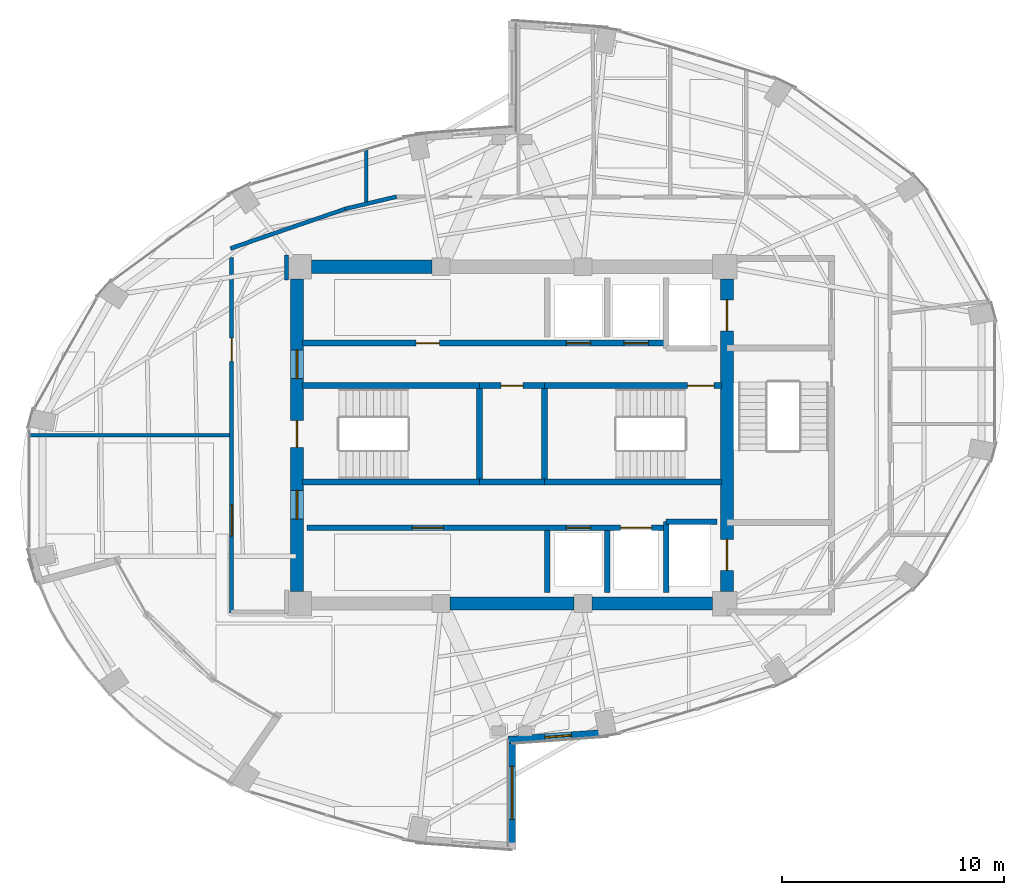
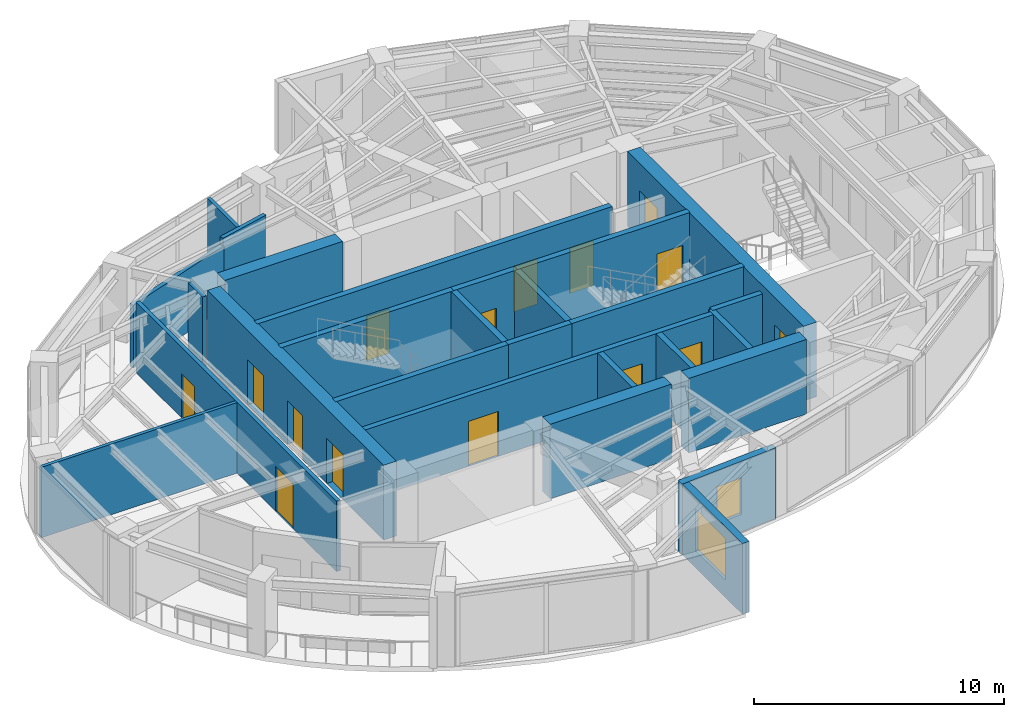
# One storey, part 17 of 21: 27 walls, 15 doors, 2 windows, 17 openings.
"""IFC4 building model written with IfcOpenShell, lengths in metres."""

from ifc_helpers import new_model, si_unit, direction, frame, frame_2d, origin, place, context, subcontext, project, spatial, rectangle, extrude, material, layer, layer_set, type_object, element, fill, save


model = new_model("IFC4")

# Units and contexts
model_context = context("Model", 3, precision=1e-05, world=origin(), true_north=direction((0.0, 1.0)))
body_context = subcontext(model_context, "Body", "Model", "MODEL_VIEW")
ifc_project = project(units=[si_unit("LENGTHUNIT", "METRE"), si_unit("AREAUNIT", "SQUARE_METRE"), si_unit("VOLUMEUNIT", "CUBIC_METRE"), si_unit("PLANEANGLEUNIT", "RADIAN"), si_unit("MASSUNIT", "GRAM", prefix="KILO")], contexts=[model_context])

# Site, building, storey
site_placement = place(None, origin())
site = spatial("IfcSite", under=ifc_project, at=site_placement, CompositionType="ELEMENT")
building_placement = place(site_placement, origin())
building = spatial("IfcBuilding", under=site, at=building_placement, Name="Lazwardi Medical Tower", CompositionType="ELEMENT")
storey_placement = place(building_placement, frame((0.0, 0.0, 216.719970703125)))
storey = spatial("IfcBuildingStorey", under=building, at=storey_placement, Name="L56", CompositionType="ELEMENT", Elevation=216.719970703125)

# Walls
ifc_material_1 = material(Name="Fire-rated gypsum board on steel stud", Category="steel")
ifc_layer_1 = layer(ifc_material_1, 0.179931640625)
ifc_layer_set_1 = layer_set([ifc_layer_1], Name="Fire-rated gypsum board on steel stud")
wall_type_1 = type_object("IfcWallType", Name="WL-COR-180", PredefinedType="PARTITIONING", material=ifc_layer_set_1)
wall_1_placement = place(storey_placement, frame((23.294189453125, 36.422119140625, 0.0), z_axis=(0.0, 0.0, 1.0), x_axis=(0.945493277461, 0.325641616316, 0.0)))
element("IfcWall", 1, at=wall_1_placement, inside=storey, type_object=wall_type_1, Name="L56 Corridor partition 1", PredefinedType="PARTITIONING", context=body_context, shape_type="SweptSolid", body=[
    extrude(rectangle(XDim=5.5615234375, YDim=0.179931640625, at=frame_2d((2.78076171875, 0.0))), origin(), (0.0, 0.0, 1.0), 3.072998046875),
])
wall_2_placement = place(storey_placement, frame((28.475830078125, 38.2109375, 0.0), z_axis=(0.0, 0.0, 1.0), x_axis=(0.973030562203, 0.230676234189, 0.0)))
element("IfcWall", 2, at=wall_2_placement, inside=storey, type_object=wall_type_1, Name="L56 Corridor partition 2", PredefinedType="PARTITIONING", context=body_context, shape_type="SweptSolid", body=[
    extrude(rectangle(XDim=2.377197265625, YDim=0.179931640625, at=frame_2d((1.1884765625, 0.0))), origin(), (0.0, 0.0, 1.0), 3.447998046875),
])
wall_3_placement = place(storey_placement, frame((25.830078125, 36.139892578125, 0.0), z_axis=(0.0, 0.0, 1.0), x_axis=(0.0, -1.0, 0.0)))
element("IfcWall", 3, at=wall_3_placement, inside=storey, type_object=wall_type_1, Name="L56 Corridor partition 7", PredefinedType="PARTITIONING", context=body_context, shape_type="SweptSolid", body=[
    extrude(rectangle(XDim=1.14990234375, YDim=0.179931640625, at=frame_2d((0.574951171875, 0.0))), origin(), (0.0, 0.0, 1.0), 3.447998046875),
])

# Wall, openings, doors
wall_4_placement = place(storey_placement, frame((23.35009765625, 19.97998046875, 0.0), z_axis=(0.0, 0.0, 1.0), x_axis=(0.0, 1.0, 0.0)))
wall_4 = element("IfcWall", 4, at=wall_4_placement, inside=storey, type_object=wall_type_1, Name="L56 Corridor partition 10", PredefinedType="PARTITIONING", context=body_context, shape_type="SweptSolid", body=[
    extrude(rectangle(XDim=16.04248046875, YDim=0.179931640625, at=frame_2d((8.021240234375, 0.0))), origin(), (0.0, 0.0, 1.0), 3.447998046875),
])
opening_1_placement = place(wall_4_placement, frame((3.468994140625, 0.0, 0.0)))
opening_1 = element("IfcOpeningElement", 5, at=opening_1_placement, cuts=wall_4, Name="Opening D-L56-008", PredefinedType="OPENING", context=body_context, shape_type="SweptSolid", body=[
    extrude(rectangle(XDim=1.39990234375, YDim=2.199951171875, at=frame_2d((0.699951171875, 1.10009765625))), frame((0.0, 0.099853515625, 0.0), z_axis=(0.0, -1.0, 0.0), x_axis=(1.0, 0.0, 0.0)), (0.0, 0.0, 1.0), 0.199951171875),
])
opening_2_placement = place(wall_4_placement, frame((11.34716796875, 0.0, 0.0)))
opening_2 = element("IfcOpeningElement", 6, at=opening_2_placement, cuts=wall_4, Name="Opening D-L56-017", PredefinedType="OPENING", context=body_context, shape_type="SweptSolid", body=[
    extrude(rectangle(XDim=1.050048828125, YDim=2.14990234375, at=frame_2d((0.52490234375, 1.074951171875))), frame((0.0, 0.099853515625, 0.0), z_axis=(0.0, -1.0, 0.0), x_axis=(1.0, 0.0, 0.0)), (0.0, 0.0, 1.0), 0.199951171875),
])
ifc_material_2 = material(Name="Anti-microbial laminate hospital leaf")
door_type_1 = type_object("IfcDoorType", Name="DR-BED-1400", OperationType="NOTDEFINED", PredefinedType="DOOR", material=ifc_material_2)
door_1_placement = place(opening_1_placement, origin())
door_1 = element("IfcDoor", 7, at=door_1_placement, inside=storey, type_object=door_type_1, Name="L56 Sky Garden Lounge Door 01", OperationType="SINGLE_SWING_RIGHT", OverallHeight=2.199951171875, OverallWidth=1.39990234375, PredefinedType="DOOR", context=body_context, shape_type="SweptSolid", body=[
    extrude(rectangle(XDim=1.39990234375, YDim=2.199951171875, at=frame_2d((0.699951171875, 1.10009765625))), frame((0.0, 0.02490234375, 0.0), z_axis=(0.0, -1.0, 0.0), x_axis=(1.0, 0.0, 0.0)), (0.0, 0.0, 1.0), 0.050048828125),
])
fill(opening_1, door_1)
door_type_2 = type_object("IfcDoorType", Name="DR-CLN-1050", OperationType="NOTDEFINED", PredefinedType="DOOR", material=ifc_material_2)
door_2_placement = place(opening_2_placement, origin())
door_2 = element("IfcDoor", 8, at=door_2_placement, inside=storey, type_object=door_type_2, Name="L56 Outpatient Consultation Suite Door 10", OperationType="SINGLE_SWING_LEFT", OverallHeight=2.14990234375, OverallWidth=1.050048828125, PredefinedType="DOOR", context=body_context, shape_type="SweptSolid", body=[
    extrude(rectangle(XDim=1.050048828125, YDim=2.14990234375, at=frame_2d((0.52490234375, 1.074951171875))), frame((0.0, 0.02490234375, 0.0), z_axis=(0.0, -1.0, 0.0), x_axis=(1.0, 0.0, 0.0)), (0.0, 0.0, 1.0), 0.050048828125),
])
fill(opening_2, door_2)

ifc_material_3 = material(Name="Concrete C60/75", Category="concrete")
ifc_layer_2 = layer(ifc_material_3, 0.60009765625)
ifc_layer_set_2 = layer_set([ifc_layer_2], Name="Concrete C60/75")
wall_type_2 = type_object("IfcWallType", Name="WL-CORE-600", PredefinedType="SHEAR", material=ifc_layer_set_2)
wall_5_placement = place(storey_placement, frame((26.300048828125, 20.949951171875, 0.0), z_axis=(0.0, 0.0, 1.0), x_axis=(0.0, 1.0, 0.0)))
wall_5 = element("IfcWall", 9, at=wall_5_placement, inside=storey, type_object=wall_type_2, Name="Core wall CW-S3 west L56", PredefinedType="SHEAR", context=body_context, shape_type="SweptSolid", body=[
    extrude(rectangle(XDim=14.10009765625, YDim=0.60009765625, at=frame_2d((7.050048828125, 0.0))), origin(), (0.0, 0.0, 1.0), 3.64794921875),
])
opening_3_placement = place(wall_5_placement, frame((6.5, 0.0, 0.0)))
opening_3 = element("IfcOpeningElement", 10, at=opening_3_placement, cuts=wall_5, Name="Opening D-L56-018", PredefinedType="OPENING", context=body_context, shape_type="SweptSolid", body=[
    extrude(rectangle(XDim=1.199951171875, YDim=2.14990234375, at=frame_2d((0.60009765625, 1.074951171875))), frame((0.0, 0.31005859375, 0.0), z_axis=(0.0, -1.0, 0.0), x_axis=(1.0, 0.0, 0.0)), (0.0, 0.0, 1.0), 0.6201171875),
])
opening_4_placement = place(wall_5_placement, frame((9.60009765625, 0.0, 0.0)))
opening_4 = element("IfcOpeningElement", 11, at=opening_4_placement, cuts=wall_5, Name="Opening D-L56-006", PredefinedType="OPENING", context=body_context, shape_type="SweptSolid", body=[
    extrude(rectangle(XDim=1.300048828125, YDim=2.199951171875, at=frame_2d((0.64990234375, 1.10009765625))), frame((0.0, 0.31005859375, 0.0), z_axis=(0.0, -1.0, 0.0), x_axis=(1.0, 0.0, 0.0)), (0.0, 0.0, 1.0), 0.6201171875),
])
opening_5_placement = place(wall_5_placement, frame((3.260009765625, 0.0, 0.0)))
opening_5 = element("IfcOpeningElement", 12, at=opening_5_placement, cuts=wall_5, Name="Opening D-L56-007", PredefinedType="OPENING", context=body_context, shape_type="SweptSolid", body=[
    extrude(rectangle(XDim=1.300048828125, YDim=2.199951171875, at=frame_2d((0.64990234375, 1.10009765625))), frame((0.0, 0.31005859375, 0.0), z_axis=(0.0, -1.0, 0.0), x_axis=(1.0, 0.0, 0.0)), (0.0, 0.0, 1.0), 0.6201171875),
])
ifc_material_4 = material(Name="Fire-rated steel leaf and frame", Category="steel")
door_type_3 = type_object("IfcDoorType", Name="DR-FFL-1300", OperationType="NOTDEFINED", PredefinedType="DOOR", material=ifc_material_4)
door_3_placement = place(opening_4_placement, origin())
door_3 = element("IfcDoor", 13, at=door_3_placement, inside=storey, type_object=door_type_3, Name="L56 North Lift Lobby Door", OperationType="SINGLE_SWING_LEFT", OverallHeight=2.199951171875, OverallWidth=1.300048828125, PredefinedType="DOOR", context=body_context, shape_type="SweptSolid", body=[
    extrude(rectangle(XDim=1.300048828125, YDim=2.199951171875, at=frame_2d((0.64990234375, 1.10009765625))), frame((0.0, 0.02490234375, 0.0), z_axis=(0.0, -1.0, 0.0), x_axis=(1.0, 0.0, 0.0)), (0.0, 0.0, 1.0), 0.050048828125),
])
fill(opening_4, door_3)
door_4_placement = place(opening_5_placement, origin())
door_4 = element("IfcDoor", 14, at=door_4_placement, inside=storey, type_object=door_type_3, Name="L56 South Lift Lobby Door", OperationType="SINGLE_SWING_RIGHT", OverallHeight=2.199951171875, OverallWidth=1.300048828125, PredefinedType="DOOR", context=body_context, shape_type="SweptSolid", body=[
    extrude(rectangle(XDim=1.300048828125, YDim=2.199951171875, at=frame_2d((0.64990234375, 1.10009765625))), frame((0.0, 0.02490234375, 0.0), z_axis=(0.0, -1.0, 0.0), x_axis=(1.0, 0.0, 0.0)), (0.0, 0.0, 1.0), 0.050048828125),
])
fill(opening_5, door_4)
door_type_4 = type_object("IfcDoorType", Name="DR-STR-1200", OperationType="NOTDEFINED", PredefinedType="DOOR", material=ifc_material_4)
door_5_placement = place(opening_3_placement, origin())
door_5 = element("IfcDoor", 15, at=door_5_placement, inside=storey, type_object=door_type_4, Name="L56 Exit Stair ST1 Door", OperationType="SINGLE_SWING_RIGHT", OverallHeight=2.14990234375, OverallWidth=1.199951171875, PredefinedType="DOOR", context=body_context, shape_type="SweptSolid", body=[
    extrude(rectangle(XDim=1.199951171875, YDim=2.14990234375, at=frame_2d((0.60009765625, 1.074951171875))), frame((0.0, 0.02490234375, 0.0), z_axis=(0.0, -1.0, 0.0), x_axis=(1.0, 0.0, 0.0)), (0.0, 0.0, 1.0), 0.050048828125),
])
fill(opening_3, door_5)

wall_6_placement = place(storey_placement, frame((45.699951171875, 20.949951171875, 0.0), z_axis=(0.0, 0.0, 1.0), x_axis=(0.0, 1.0, 0.0)))
wall_6 = element("IfcWall", 16, at=wall_6_placement, inside=storey, type_object=wall_type_2, Name="Core wall CW-S3 east L56", PredefinedType="SHEAR", context=body_context, shape_type="SweptSolid", body=[
    extrude(rectangle(XDim=14.10009765625, YDim=0.60009765625, at=frame_2d((7.050048828125, 0.0))), origin(), (0.0, 0.0, 1.0), 3.64794921875),
])
opening_6_placement = place(wall_6_placement, frame((11.75, 0.0, 0.0)))
opening_6 = element("IfcOpeningElement", 17, at=opening_6_placement, cuts=wall_6, Name="Opening LD-L56-001", PredefinedType="OPENING", context=body_context, shape_type="SweptSolid", body=[
    extrude(rectangle(XDim=1.39990234375, YDim=2.300048828125, at=frame_2d((0.699951171875, 1.14990234375))), frame((0.0, 0.31005859375, 0.0), z_axis=(0.0, -1.0, 0.0), x_axis=(1.0, 0.0, 0.0)), (0.0, 0.0, 1.0), 0.6201171875),
])
opening_7_placement = place(wall_6_placement, frame((0.949951171875, 0.0, 0.0)))
opening_7 = element("IfcOpeningElement", 18, at=opening_7_placement, cuts=wall_6, Name="Opening LD-L56-002", PredefinedType="OPENING", context=body_context, shape_type="SweptSolid", body=[
    extrude(rectangle(XDim=1.39990234375, YDim=2.300048828125, at=frame_2d((0.699951171875, 1.14990234375))), frame((0.0, 0.31005859375, 0.0), z_axis=(0.0, -1.0, 0.0), x_axis=(1.0, 0.0, 0.0)), (0.0, 0.0, 1.0), 0.6201171875),
])
ifc_material_5 = material(Name="Brushed stainless steel bed-lift landing door", Category="steel")
door_type_5 = type_object("IfcDoorType", Name="DR-LFT-1400", OperationType="NOTDEFINED", PredefinedType="DOOR", material=ifc_material_5)
door_6_placement = place(opening_6_placement, origin())
door_6 = element("IfcDoor", 19, at=door_6_placement, inside=storey, type_object=door_type_5, Name="L56 Lift Landing Door FL-01", OperationType="SLIDING_TO_LEFT", OverallHeight=2.300048828125, OverallWidth=1.39990234375, PredefinedType="DOOR", context=body_context, shape_type="SweptSolid", body=[
    extrude(rectangle(XDim=1.39990234375, YDim=2.300048828125, at=frame_2d((0.699951171875, 1.14990234375))), frame((0.0, 0.02490234375, 0.0), z_axis=(0.0, -1.0, 0.0), x_axis=(1.0, 0.0, 0.0)), (0.0, 0.0, 1.0), 0.050048828125),
])
fill(opening_6, door_6)
door_7_placement = place(opening_7_placement, origin())
door_7 = element("IfcDoor", 20, at=door_7_placement, inside=storey, type_object=door_type_5, Name="L56 Lift Landing Door FL-02", OperationType="SLIDING_TO_LEFT", OverallHeight=2.300048828125, OverallWidth=1.39990234375, PredefinedType="DOOR", context=body_context, shape_type="SweptSolid", body=[
    extrude(rectangle(XDim=1.39990234375, YDim=2.300048828125, at=frame_2d((0.699951171875, 1.14990234375))), frame((0.0, 0.02490234375, 0.0), z_axis=(0.0, -1.0, 0.0), x_axis=(1.0, 0.0, 0.0)), (0.0, 0.0, 1.0), 0.050048828125),
])
fill(opening_7, door_7)

# Walls
wall_7_placement = place(storey_placement, frame((26.949951171875, 35.60009765625, 0.0), z_axis=(0.0, 0.0, 1.0), x_axis=(1.0, 0.0, 0.0)))
element("IfcWall", 21, at=wall_7_placement, inside=storey, type_object=wall_type_2, Name="Core wall CW-S3 N1 L56", PredefinedType="SHEAR", context=body_context, shape_type="SweptSolid", body=[
    extrude(rectangle(XDim=5.449951171875, YDim=0.60009765625, at=frame_2d((2.72509765625, 0.0))), origin(), (0.0, 0.0, 1.0), 3.64794921875),
])
wall_8_placement = place(storey_placement, frame((33.199951171875, 20.39990234375, 0.0), z_axis=(0.0, 0.0, 1.0), x_axis=(1.0, 0.0, 0.0)))
element("IfcWall", 22, at=wall_8_placement, inside=storey, type_object=wall_type_2, Name="Core wall CW-S3 S2 L56", PredefinedType="SHEAR", context=body_context, shape_type="SweptSolid", body=[
    extrude(rectangle(XDim=5.60009765625, YDim=0.60009765625, at=frame_2d((2.800048828125, 0.0))), origin(), (0.0, 0.0, 1.0), 3.64794921875),
])
wall_9_placement = place(storey_placement, frame((39.60009765625, 20.39990234375, 0.0), z_axis=(0.0, 0.0, 1.0), x_axis=(1.0, 0.0, 0.0)))
element("IfcWall", 23, at=wall_9_placement, inside=storey, type_object=wall_type_2, Name="Core wall CW-S3 S3 L56", PredefinedType="SHEAR", context=body_context, shape_type="SweptSolid", body=[
    extrude(rectangle(XDim=5.449951171875, YDim=0.60009765625, at=frame_2d((2.72509765625, 0.0))), origin(), (0.0, 0.0, 1.0), 3.64794921875),
])

# Wall, opening, window
ifc_material_6 = material(Name="Precast concrete C45/55", Category="concrete")
ifc_layer_3 = layer(ifc_material_6, 0.320068359375)
ifc_layer_set_3 = layer_set([ifc_layer_3], Name="Precast concrete C45/55")
wall_type_3 = type_object("IfcWallType", Name="WL-IWAN-320", PredefinedType="SOLIDWALL", material=ifc_layer_set_3)
wall_10_placement = place(storey_placement, frame((35.820556640625, 14.2470703125, 0.0), z_axis=(0.0, 0.0, 1.0), x_axis=(0.997409061056, 0.071938619141, 0.0)))
wall_10 = element("IfcWall", 24, at=wall_10_placement, inside=storey, type_object=wall_type_3, Name="L56 Iwan Portal Return Wall SE_ret", PredefinedType="SOLIDWALL", context=body_context, shape_type="SweptSolid", body=[
    extrude(rectangle(XDim=4.540771484375, YDim=0.320068359375, at=frame_2d((2.2705078125, 0.0))), origin(), (0.0, 0.0, 1.0), 3.447998046875),
])
opening_8_placement = place(wall_10_placement, frame((1.67041015625, 0.0, 0.85009765625)))
opening_8 = element("IfcOpeningElement", 25, at=opening_8_placement, cuts=wall_10, Name="Opening WN-04", PredefinedType="OPENING", context=body_context, shape_type="SweptSolid", body=[
    extrude(rectangle(XDim=1.199951171875, YDim=1.800048828125, at=frame_2d((0.60009765625, 0.89990234375))), frame((0.0, 0.169921875, 0.0), z_axis=(0.0, -1.0, 0.0), x_axis=(1.0, 0.0, 0.0)), (0.0, 0.0, 1.0), 0.340087890625),
])
ifc_material_7 = material(Name="Low-e bronze solar control double glazing", Category="glass")
window_type_1 = type_object("IfcWindowType", Name="WIN-DRUM-1200", PartitioningType="SINGLE_PANEL", PredefinedType="WINDOW", material=ifc_material_7)
window_1_placement = place(opening_8_placement, origin())
window_1 = element("IfcWindow", 26, at=window_1_placement, inside=storey, type_object=window_type_1, Name="L56 Iwan Slot Window SE_ret", OverallHeight=1.800048828125, OverallWidth=1.199951171875, PartitioningType="SINGLE_PANEL", PredefinedType="WINDOW", context=body_context, shape_type="SweptSolid", body=[
    extrude(rectangle(XDim=1.199951171875, YDim=1.800048828125, at=frame_2d((0.60009765625, 0.89990234375))), frame((0.0, 0.030029296875, 0.0), z_axis=(0.0, -1.0, 0.0), x_axis=(1.0, 0.0, 0.0)), (0.0, 0.0, 1.0), 0.06005859375),
])
fill(opening_8, window_1)

wall_11_placement = place(storey_placement, frame((36.0, 9.300048828125, 0.0), z_axis=(0.0, 0.0, 1.0), x_axis=(0.0, 1.0, 0.0)))
wall_11 = element("IfcWall", 27, at=wall_11_placement, inside=storey, type_object=wall_type_3, Name="L56 Turquoise Tilework Iwan Seam Wall S_seam", PredefinedType="SOLIDWALL", context=body_context, shape_type="SweptSolid", body=[
    extrude(rectangle(XDim=5.119873046875, YDim=0.320068359375, at=frame_2d((2.56005859375, 0.0))), origin(), (0.0, 0.0, 1.0), 3.447998046875),
])
opening_9_placement = place(wall_11_placement, frame((1.360107421875, 0.0, 0.840087890625)))
opening_9 = element("IfcOpeningElement", 28, at=opening_9_placement, cuts=wall_11, Name="Opening WN-02", PredefinedType="OPENING", context=body_context, shape_type="SweptSolid", body=[
    extrude(rectangle(XDim=2.39990234375, YDim=2.0400390625, at=frame_2d((1.199951171875, 1.02001953125))), frame((0.0, 0.169921875, 0.0), z_axis=(0.0, -1.0, 0.0), x_axis=(1.0, 0.0, 0.0)), (0.0, 0.0, 1.0), 0.340087890625),
])
window_type_2 = type_object("IfcWindowType", Name="WIN-IW-2400", PartitioningType="SINGLE_PANEL", PredefinedType="WINDOW", material=ifc_material_7)
window_2_placement = place(opening_9_placement, origin())
window_2 = element("IfcWindow", 29, at=window_2_placement, inside=storey, type_object=window_type_2, Name="L56 Iwan Seam Window S_seam", OverallHeight=2.0400390625, OverallWidth=2.39990234375, PartitioningType="SINGLE_PANEL", PredefinedType="WINDOW", context=body_context, shape_type="SweptSolid", body=[
    extrude(rectangle(XDim=2.39990234375, YDim=2.0400390625, at=frame_2d((1.199951171875, 1.02001953125))), frame((0.0, 0.030029296875, 0.0), z_axis=(0.0, -1.0, 0.0), x_axis=(1.0, 0.0, 0.0)), (0.0, 0.0, 1.0), 0.06005859375),
])
fill(opening_9, window_2)

# Wall, openings, doors
ifc_material_8 = material(Name="Autoclaved aerated concrete blockwork", Category="masonry")
ifc_layer_4 = layer(ifc_material_8, 0.25)
ifc_layer_set_4 = layer_set([ifc_layer_4], Name="Autoclaved aerated concrete blockwork")
wall_type_4 = type_object("IfcWallType", Name="WL-SHAFT-250", PredefinedType="SOLIDWALL", material=ifc_layer_set_4)
wall_12_placement = place(storey_placement, frame((26.75, 23.830078125, 0.0), z_axis=(0.0, 0.0, 1.0), x_axis=(1.0, 0.0, 0.0)))
wall_12 = element("IfcWall", 30, at=wall_12_placement, inside=storey, type_object=wall_type_4, Name="L56 South lift bank front wall", PredefinedType="SOLIDWALL", context=body_context, shape_type="SweptSolid", body=[
    extrude(rectangle(XDim=16.199951171875, YDim=0.25, at=frame_2d((8.10009765625, 0.0))), origin(), (0.0, 0.0, 1.0), 3.447998046875),
])
opening_10_placement = place(wall_12_placement, frame((4.75, 0.0, 0.0)))
opening_10 = element("IfcOpeningElement", 31, at=opening_10_placement, cuts=wall_12, Name="Opening D-L56-003", PredefinedType="OPENING", context=body_context, shape_type="SweptSolid", body=[
    extrude(rectangle(XDim=1.39990234375, YDim=2.199951171875, at=frame_2d((0.699951171875, 1.10009765625))), frame((0.0, 0.135009765625, 0.0), z_axis=(0.0, -1.0, 0.0), x_axis=(1.0, 0.0, 0.0)), (0.0, 0.0, 1.0), 0.27001953125),
])
opening_11_placement = place(wall_12_placement, frame((11.699951171875, 0.0, 0.0)))
opening_11 = element("IfcOpeningElement", 32, at=opening_11_placement, cuts=wall_12, Name="Opening LD-L56-006", PredefinedType="OPENING", context=body_context, shape_type="SweptSolid", body=[
    extrude(rectangle(XDim=1.10009765625, YDim=2.199951171875, at=frame_2d((0.550048828125, 1.10009765625))), frame((0.0, 0.135009765625, 0.0), z_axis=(0.0, -1.0, 0.0), x_axis=(1.0, 0.0, 0.0)), (0.0, 0.0, 1.0), 0.27001953125),
])
opening_12_placement = place(wall_12_placement, frame((14.14990234375, 0.0, 0.0)))
opening_12 = element("IfcOpeningElement", 33, at=opening_12_placement, cuts=wall_12, Name="Opening LD-L56-003", PredefinedType="OPENING", context=body_context, shape_type="SweptSolid", body=[
    extrude(rectangle(XDim=1.39990234375, YDim=2.300048828125, at=frame_2d((0.699951171875, 1.14990234375))), frame((0.0, 0.135009765625, 0.0), z_axis=(0.0, -1.0, 0.0), x_axis=(1.0, 0.0, 0.0)), (0.0, 0.0, 1.0), 0.27001953125),
])
door_8_placement = place(opening_10_placement, origin())
door_8 = element("IfcDoor", 34, at=door_8_placement, inside=storey, type_object=door_type_1, Name="L56 Core South Suite Door", OperationType="SINGLE_SWING_RIGHT", OverallHeight=2.199951171875, OverallWidth=1.39990234375, PredefinedType="DOOR", context=body_context, shape_type="SweptSolid", body=[
    extrude(rectangle(XDim=1.39990234375, YDim=2.199951171875, at=frame_2d((0.699951171875, 1.10009765625))), frame((0.0, 0.02490234375, 0.0), z_axis=(0.0, -1.0, 0.0), x_axis=(1.0, 0.0, 0.0)), (0.0, 0.0, 1.0), 0.050048828125),
])
fill(opening_10, door_8)
ifc_material_9 = material(Name="Brushed bronze stainless steel landing door", Category="steel")
door_type_6 = type_object("IfcDoorType", Name="DR-LFT-1100", OperationType="NOTDEFINED", PredefinedType="DOOR", material=ifc_material_9)
door_9_placement = place(opening_11_placement, origin())
door_9 = element("IfcDoor", 35, at=door_9_placement, inside=storey, type_object=door_type_6, Name="L56 Lift Landing Door PL-11", OperationType="SLIDING_TO_LEFT", OverallHeight=2.199951171875, OverallWidth=1.10009765625, PredefinedType="DOOR", context=body_context, shape_type="SweptSolid", body=[
    extrude(rectangle(XDim=1.10009765625, YDim=2.199951171875, at=frame_2d((0.550048828125, 1.10009765625))), frame((0.0, 0.02490234375, 0.0), z_axis=(0.0, -1.0, 0.0), x_axis=(1.0, 0.0, 0.0)), (0.0, 0.0, 1.0), 0.050048828125),
])
fill(opening_11, door_9)
door_10_placement = place(opening_12_placement, origin())
door_10 = element("IfcDoor", 36, at=door_10_placement, inside=storey, type_object=door_type_5, Name="L56 Lift Landing Door FL-03", OperationType="SLIDING_TO_LEFT", OverallHeight=2.300048828125, OverallWidth=1.39990234375, PredefinedType="DOOR", context=body_context, shape_type="SweptSolid", body=[
    extrude(rectangle(XDim=1.39990234375, YDim=2.300048828125, at=frame_2d((0.699951171875, 1.14990234375))), frame((0.0, 0.02490234375, 0.0), z_axis=(0.0, -1.0, 0.0), x_axis=(1.0, 0.0, 0.0)), (0.0, 0.0, 1.0), 0.050048828125),
])
fill(opening_12, door_10)

# Walls
wall_13_placement = place(storey_placement, frame((42.949951171875, 20.89990234375, 0.0), z_axis=(0.0, 0.0, 1.0), x_axis=(0.0, 1.0, 0.0)))
element("IfcWall", 37, at=wall_13_placement, inside=storey, type_object=wall_type_4, Name="L56 FL-02 West shaft wall", PredefinedType="SOLIDWALL", context=body_context, shape_type="SweptSolid", body=[
    extrude(rectangle(XDim=3.2001953125, YDim=0.25, at=frame_2d((1.60009765625, 0.0))), origin(), (0.0, 0.0, 1.0), 3.447998046875),
])
wall_14_placement = place(storey_placement, frame((42.949951171875, 24.10009765625, 0.0), z_axis=(0.0, 0.0, 1.0), x_axis=(1.0, 0.0, 0.0)))
element("IfcWall", 38, at=wall_14_placement, inside=storey, type_object=wall_type_4, Name="L56 FL-02 North shaft wall", PredefinedType="SOLIDWALL", context=body_context, shape_type="SweptSolid", body=[
    extrude(rectangle(XDim=2.300048828125, YDim=0.25, at=frame_2d((1.14990234375, 0.0))), origin(), (0.0, 0.0, 1.0), 3.447998046875),
])
for number, where, z_axis, x_axis, name in (
    (39, (37.60009765625, 20.89990234375, 0.0), (0.0, 0.0, 1.0), (0.0, 1.0, 0.0), "L56 South hoistway divider"),
    (40, (40.300048828125, 20.89990234375, 0.0), (0.0, 0.0, 1.0), (0.0, 1.0, 0.0), "L56 South hoistway divider"),
):
    element("IfcWall", number, at=place(storey_placement, frame(where, z_axis=z_axis, x_axis=x_axis)), inside=storey, type_object=wall_type_4, Name=name, PredefinedType="SOLIDWALL", context=body_context, shape_type="SweptSolid", body=[
        extrude(rectangle(XDim=2.800048828125, YDim=0.25, at=frame_2d((1.39990234375, 0.0))), origin(), (0.0, 0.0, 1.0), 3.447998046875),
    ])
ifc_material_10 = material(Name="Concrete C50/60", Category="concrete")
ifc_layer_5 = layer(ifc_material_10, 0.27001953125)
ifc_layer_set_5 = layer_set([ifc_layer_5], Name="Concrete C50/60")
wall_type_5 = type_object("IfcWallType", Name="WL-STR-250", PredefinedType="SHEAR", material=ifc_layer_set_5)
wall_15_placement = place(storey_placement, frame((26.550048828125, 30.235107421875, 0.0), z_axis=(0.0, 0.0, 1.0), x_axis=(1.0, 0.0, 0.0)))
element("IfcWall", 41, at=wall_15_placement, inside=storey, type_object=wall_type_5, Name="L56 ST1 North shear shaft wall SW-S1", PredefinedType="SHEAR", context=body_context, shape_type="SweptSolid", body=[
    extrude(rectangle(XDim=7.98486328125, YDim=0.27001953125, at=frame_2d((3.992431640625, 0.0))), origin(), (0.0, 0.0, 1.0), 3.64794921875),
])

# Wall, opening, door
wall_16_placement = place(storey_placement, frame((34.534912109375, 30.235107421875, 0.0), z_axis=(0.0, 0.0, 1.0), x_axis=(1.0, 0.0, 0.0)))
wall_16 = element("IfcWall", 42, at=wall_16_placement, inside=storey, type_object=wall_type_5, Name="L56 Core service North shear wall SW-S1", PredefinedType="SHEAR", context=body_context, shape_type="SweptSolid", body=[
    extrude(rectangle(XDim=2.93017578125, YDim=0.27001953125, at=frame_2d((1.465087890625, 0.0))), origin(), (0.0, 0.0, 1.0), 3.64794921875),
])
opening_13_placement = place(wall_16_placement, frame((0.965087890625, 0.0, 0.0)))
opening_13 = element("IfcOpeningElement", 43, at=opening_13_placement, cuts=wall_16, Name="Opening D-L56-001", PredefinedType="OPENING", context=body_context, shape_type="SweptSolid", body=[
    extrude(rectangle(XDim=1.0, YDim=2.10009765625, at=frame_2d((0.5, 1.050048828125))), frame((0.0, 0.14501953125, 0.0), z_axis=(0.0, -1.0, 0.0), x_axis=(1.0, 0.0, 0.0)), (0.0, 0.0, 1.0), 0.2900390625),
])
ifc_material_11 = material(Name="Moisture-resistant laminate door leaf")
door_type_7 = type_object("IfcDoorType", Name="DR-AWC-1000", OperationType="NOTDEFINED", PredefinedType="DOOR", material=ifc_material_11)
door_11_placement = place(opening_13_placement, origin())
door_11 = element("IfcDoor", 44, at=door_11_placement, inside=storey, type_object=door_type_7, Name="L56 Accessible WC Door", OperationType="SINGLE_SWING_RIGHT", OverallHeight=2.10009765625, OverallWidth=1.0, PredefinedType="DOOR", context=body_context, shape_type="SweptSolid", body=[
    extrude(rectangle(XDim=1.0, YDim=2.10009765625, at=frame_2d((0.5, 1.050048828125))), frame((0.0, 0.02490234375, 0.0), z_axis=(0.0, -1.0, 0.0), x_axis=(1.0, 0.0, 0.0)), (0.0, 0.0, 1.0), 0.050048828125),
])
fill(opening_13, door_11)

wall_17_placement = place(storey_placement, frame((37.465087890625, 30.235107421875, 0.0), z_axis=(0.0, 0.0, 1.0), x_axis=(1.0, 0.0, 0.0)))
wall_17 = element("IfcWall", 45, at=wall_17_placement, inside=storey, type_object=wall_type_5, Name="L56 ST2 North shear shaft wall SW-S1", PredefinedType="SHEAR", context=body_context, shape_type="SweptSolid", body=[
    extrude(rectangle(XDim=7.98486328125, YDim=0.27001953125, at=frame_2d((3.992431640625, 0.0))), origin(), (0.0, 0.0, 1.0), 3.64794921875),
])
opening_14_placement = place(wall_17_placement, frame((6.455078125, 0.0, 0.0)))
opening_14 = element("IfcOpeningElement", 46, at=opening_14_placement, cuts=wall_17, Name="Opening D-L56-019", PredefinedType="OPENING", context=body_context, shape_type="SweptSolid", body=[
    extrude(rectangle(XDim=1.199951171875, YDim=2.14990234375, at=frame_2d((0.60009765625, 1.074951171875))), frame((0.0, 0.14501953125, 0.0), z_axis=(0.0, -1.0, 0.0), x_axis=(1.0, 0.0, 0.0)), (0.0, 0.0, 1.0), 0.2900390625),
])
door_12_placement = place(opening_14_placement, origin())
door_12 = element("IfcDoor", 47, at=door_12_placement, inside=storey, type_object=door_type_4, Name="L56 Exit Stair ST2 Door", OperationType="SINGLE_SWING_LEFT", OverallHeight=2.14990234375, OverallWidth=1.199951171875, PredefinedType="DOOR", context=body_context, shape_type="SweptSolid", body=[
    extrude(rectangle(XDim=1.199951171875, YDim=2.14990234375, at=frame_2d((0.60009765625, 1.074951171875))), frame((0.0, 0.02490234375, 0.0), z_axis=(0.0, -1.0, 0.0), x_axis=(1.0, 0.0, 0.0)), (0.0, 0.0, 1.0), 0.050048828125),
])
fill(opening_14, door_12)

# Walls
wall_18_placement = place(storey_placement, frame((26.550048828125, 25.885009765625, 0.0), z_axis=(0.0, 0.0, 1.0), x_axis=(1.0, 0.0, 0.0)))
element("IfcWall", 48, at=wall_18_placement, inside=storey, type_object=wall_type_5, Name="L56 ST1 South shear shaft wall SW-S1", PredefinedType="SHEAR", context=body_context, shape_type="SweptSolid", body=[
    extrude(rectangle(XDim=7.98486328125, YDim=0.27001953125, at=frame_2d((3.992431640625, 0.0))), origin(), (0.0, 0.0, 1.0), 3.64794921875),
])
wall_19_placement = place(storey_placement, frame((34.534912109375, 25.885009765625, 0.0), z_axis=(0.0, 0.0, 1.0), x_axis=(1.0, 0.0, 0.0)))
element("IfcWall", 49, at=wall_19_placement, inside=storey, type_object=wall_type_5, Name="L56 Core service South shear wall SW-S1", PredefinedType="SHEAR", context=body_context, shape_type="SweptSolid", body=[
    extrude(rectangle(XDim=2.93017578125, YDim=0.27001953125, at=frame_2d((1.465087890625, 0.0))), origin(), (0.0, 0.0, 1.0), 3.64794921875),
])
wall_20_placement = place(storey_placement, frame((37.465087890625, 25.885009765625, 0.0), z_axis=(0.0, 0.0, 1.0), x_axis=(1.0, 0.0, 0.0)))
element("IfcWall", 50, at=wall_20_placement, inside=storey, type_object=wall_type_5, Name="L56 ST2 South shear shaft wall SW-S1", PredefinedType="SHEAR", context=body_context, shape_type="SweptSolid", body=[
    extrude(rectangle(XDim=7.98486328125, YDim=0.27001953125, at=frame_2d((3.992431640625, 0.0))), origin(), (0.0, 0.0, 1.0), 3.64794921875),
])
for number, where, z_axis, x_axis, name in (
    (51, (34.534912109375, 26.02001953125, 0.0), (0.0, 0.0, 1.0), (0.0, 1.0, 0.0), "L56 ST1 East shear shaft wall SW-S1"),
    (52, (37.465087890625, 26.02001953125, 0.0), (0.0, 0.0, 1.0), (0.0, 1.0, 0.0), "L56 ST2 West shear shaft wall SW-S1"),
):
    element("IfcWall", number, at=place(storey_placement, frame(where, z_axis=z_axis, x_axis=x_axis)), inside=storey, type_object=wall_type_5, Name=name, PredefinedType="SHEAR", context=body_context, shape_type="SweptSolid", body=[
        extrude(rectangle(XDim=4.080078125, YDim=0.27001953125, at=frame_2d((2.0400390625, 0.0))), origin(), (0.0, 0.0, 1.0), 3.64794921875),
    ])

# Wall, openings, doors
wall_21_placement = place(storey_placement, frame((26.550048828125, 32.14990234375, 0.0), z_axis=(0.0, 0.0, 1.0), x_axis=(1.0, 0.0, 0.0)))
wall_21 = element("IfcWall", 53, at=wall_21_placement, inside=storey, type_object=wall_type_5, Name="L56 North lift bank shear wall SW-S1", PredefinedType="SHEAR", context=body_context, shape_type="SweptSolid", body=[
    extrude(rectangle(XDim=16.39990234375, YDim=0.27001953125, at=frame_2d((8.199951171875, 0.0))), origin(), (0.0, 0.0, 1.0), 3.64794921875),
])
opening_15_placement = place(wall_21_placement, frame((5.125, 0.0, 0.0)))
opening_15 = element("IfcOpeningElement", 54, at=opening_15_placement, cuts=wall_21, Name="Opening D-L56-002", PredefinedType="OPENING", context=body_context, shape_type="SweptSolid", body=[
    extrude(rectangle(XDim=1.050048828125, YDim=2.14990234375, at=frame_2d((0.52490234375, 1.074951171875))), frame((0.0, 0.14501953125, 0.0), z_axis=(0.0, -1.0, 0.0), x_axis=(1.0, 0.0, 0.0)), (0.0, 0.0, 1.0), 0.2900390625),
])
opening_16_placement = place(wall_21_placement, frame((11.89990234375, 0.0, 0.0)))
opening_16 = element("IfcOpeningElement", 55, at=opening_16_placement, cuts=wall_21, Name="Opening LD-L56-004", PredefinedType="OPENING", context=body_context, shape_type="SweptSolid", body=[
    extrude(rectangle(XDim=1.10009765625, YDim=2.199951171875, at=frame_2d((0.550048828125, 1.10009765625))), frame((0.0, 0.14501953125, 0.0), z_axis=(0.0, -1.0, 0.0), x_axis=(1.0, 0.0, 0.0)), (0.0, 0.0, 1.0), 0.2900390625),
])
opening_17_placement = place(wall_21_placement, frame((14.5, 0.0, 0.0)))
opening_17 = element("IfcOpeningElement", 56, at=opening_17_placement, cuts=wall_21, Name="Opening LD-L56-005", PredefinedType="OPENING", context=body_context, shape_type="SweptSolid", body=[
    extrude(rectangle(XDim=1.10009765625, YDim=2.199951171875, at=frame_2d((0.550048828125, 1.10009765625))), frame((0.0, 0.14501953125, 0.0), z_axis=(0.0, -1.0, 0.0), x_axis=(1.0, 0.0, 0.0)), (0.0, 0.0, 1.0), 0.2900390625),
])
door_13_placement = place(opening_15_placement, origin())
door_13 = element("IfcDoor", 57, at=door_13_placement, inside=storey, type_object=door_type_2, Name="L56 Core North Suite Door", OperationType="SINGLE_SWING_LEFT", OverallHeight=2.14990234375, OverallWidth=1.050048828125, PredefinedType="DOOR", context=body_context, shape_type="SweptSolid", body=[
    extrude(rectangle(XDim=1.050048828125, YDim=2.14990234375, at=frame_2d((0.52490234375, 1.074951171875))), frame((0.0, 0.02490234375, 0.0), z_axis=(0.0, -1.0, 0.0), x_axis=(1.0, 0.0, 0.0)), (0.0, 0.0, 1.0), 0.050048828125),
])
fill(opening_15, door_13)
door_14_placement = place(opening_16_placement, origin())
door_14 = element("IfcDoor", 58, at=door_14_placement, inside=storey, type_object=door_type_6, Name="L56 Lift Landing Door PL-09", OperationType="SLIDING_TO_LEFT", OverallHeight=2.199951171875, OverallWidth=1.10009765625, PredefinedType="DOOR", context=body_context, shape_type="SweptSolid", body=[
    extrude(rectangle(XDim=1.10009765625, YDim=2.199951171875, at=frame_2d((0.550048828125, 1.10009765625))), frame((0.0, 0.02490234375, 0.0), z_axis=(0.0, -1.0, 0.0), x_axis=(1.0, 0.0, 0.0)), (0.0, 0.0, 1.0), 0.050048828125),
])
fill(opening_16, door_14)
door_15_placement = place(opening_17_placement, origin())
door_15 = element("IfcDoor", 59, at=door_15_placement, inside=storey, type_object=door_type_6, Name="L56 Lift Landing Door PL-10", OperationType="SLIDING_TO_LEFT", OverallHeight=2.199951171875, OverallWidth=1.10009765625, PredefinedType="DOOR", context=body_context, shape_type="SweptSolid", body=[
    extrude(rectangle(XDim=1.10009765625, YDim=2.199951171875, at=frame_2d((0.550048828125, 1.10009765625))), frame((0.0, 0.02490234375, 0.0), z_axis=(0.0, -1.0, 0.0), x_axis=(1.0, 0.0, 0.0)), (0.0, 0.0, 1.0), 0.050048828125),
])
fill(opening_17, door_15)

# Walls
ifc_material_12 = material(Name="Acoustic gypsum board partition")
ifc_layer_6 = layer(ifc_material_12, 0.14990234375)
ifc_layer_set_6 = layer_set([ifc_layer_6], Name="Acoustic gypsum board partition")
wall_type_6 = type_object("IfcWallType", Name="WL-WRD-150", PredefinedType="PARTITIONING", material=ifc_layer_set_6)
wall_22_placement = place(storey_placement, frame((14.228271484375, 28.0, 0.0), z_axis=(0.0, 0.0, 1.0), x_axis=(1.0, 0.0, 0.0)))
element("IfcWall", 60, at=wall_22_placement, inside=storey, type_object=wall_type_6, Name="L56 Room partition 1", PredefinedType="PARTITIONING", context=body_context, shape_type="SweptSolid", body=[
    extrude(rectangle(XDim=9.03173828125, YDim=0.14990234375, at=frame_2d((4.515869140625, 0.0))), origin(), (0.0, 0.0, 1.0), 3.447998046875),
])
wall_23_placement = place(storey_placement, frame((29.429931640625, 38.52880859375, 0.0), z_axis=(0.0, 0.0, 1.0), x_axis=(0.0, 1.0, 0.0)))
element("IfcWall", 61, at=wall_23_placement, inside=storey, type_object=wall_type_6, Name="L56 Room partition 6", PredefinedType="PARTITIONING", context=body_context, shape_type="SweptSolid", body=[
    extrude(rectangle(XDim=2.345947265625, YDim=0.14990234375, at=frame_2d((1.1728515625, 0.0))), origin(), (0.0, 0.0, 1.0), 3.447998046875),
])

save(model, "model.ifc")
